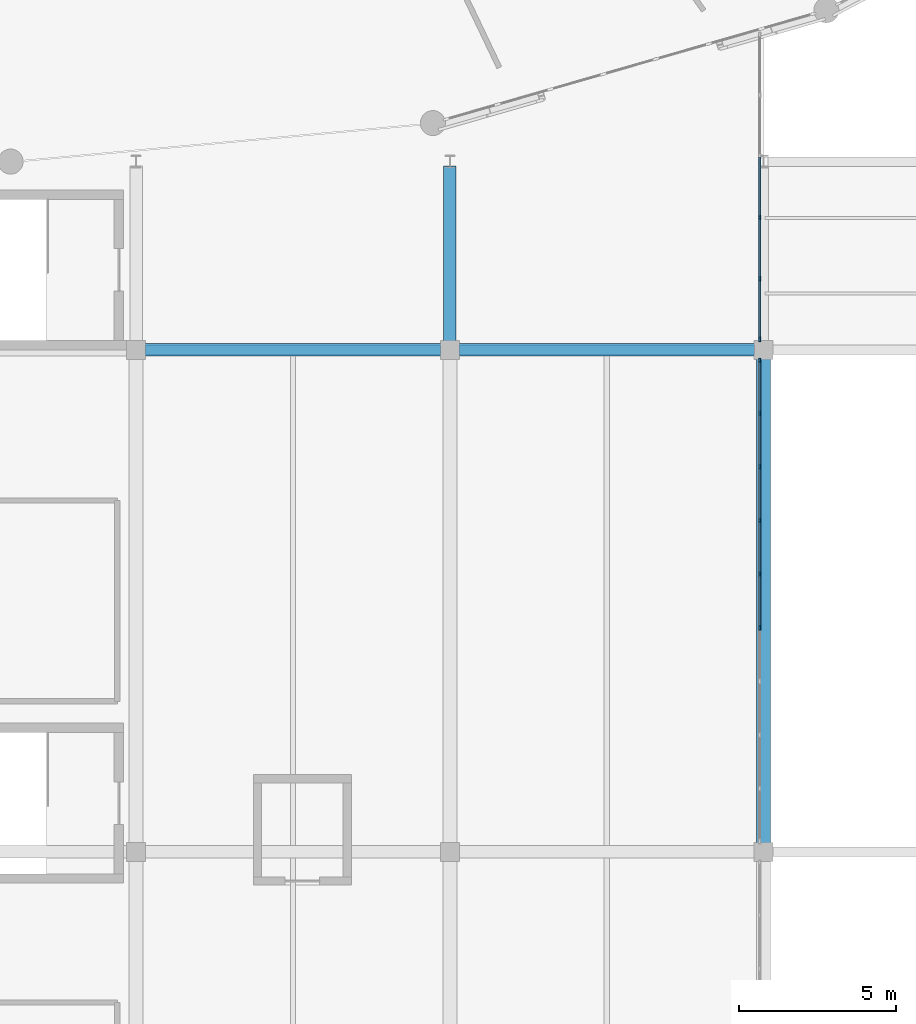
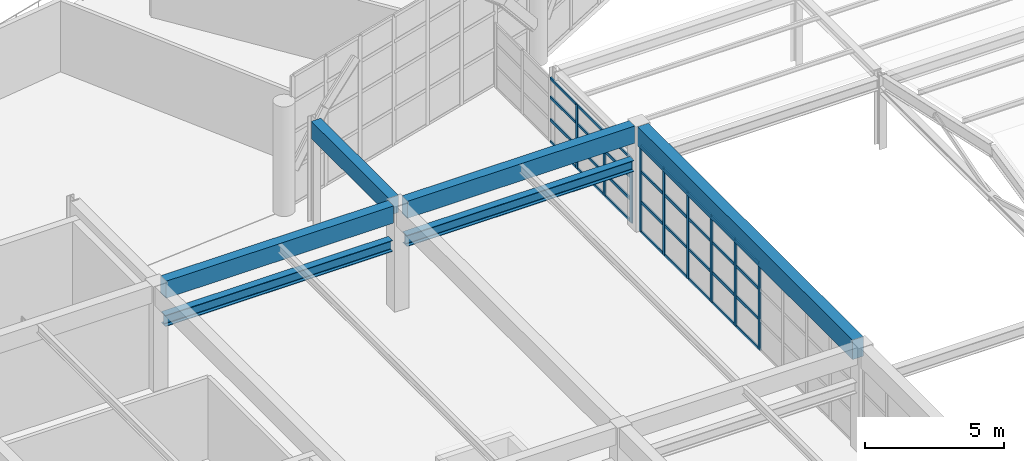
# One storey, part 28 of 109: 41 members, 6 beams, 2 elements without a shape of their own.
"""IFC4 building model written with IfcOpenShell, lengths in metres."""

import ifcopenshell
import ifcopenshell.guid

model = None  # the IFC model being written
_history = None  # IfcOwnerHistory: only IFC2X3 demands one
_inside = {}  # id of a spatial element -> (the spatial element, [elements in it])
_under = {}  # id of a project, library or spatial element -> (it, [spatial elements below it])
_declared = {}  # id of a project -> (the project, [libraries it declares])
_typed = {}  # id of a type object -> (the type object, [elements of that type])
_made_of = {}  # id of a material, layer set ... -> (it, [elements and type objects made of it])


def new_model(schema):
    """Start an empty IFC model of exactly this schema.

    Asked for "IFC4X3", IfcOpenShell would pick the latest addendum, in which some entities
    have other attributes; the version numbers below select the first issue.
    IFC2X3 requires an IfcOwnerHistory on every rooted entity: one is made here for all.
    """
    global model, _history
    if schema == "IFC4X3":
        model = ifcopenshell.file(schema_version=(4, 3, 0, 0))
    else:
        model = ifcopenshell.file(schema=schema)
    _inside.clear()
    _under.clear()
    _declared.clear()
    _typed.clear()
    _made_of.clear()
    _history = None
    if model.schema == "IFC2X3":
        org = make("IfcOrganization", Name="unknown")
        user = make(
            "IfcPersonAndOrganization",
            ThePerson=make("IfcPerson", FamilyName="unknown"),
            TheOrganization=org,
        )
        app = make(
            "IfcApplication",
            ApplicationDeveloper=org,
            Version="unknown",
            ApplicationFullName="unknown",
            ApplicationIdentifier="unknown",
        )
        _history = make(
            "IfcOwnerHistory",
            OwningUser=user,
            OwningApplication=app,
            ChangeAction="ADDED",
            CreationDate=0,
        )
    return model


def make(cls, **values):
    """One entity of the class cls with the attributes given. An attribute that is None is left unset."""
    return model.create_entity(
        cls, **{name: value for name, value in values.items() if value is not None}
    )


def rooted(cls, **values):
    """An entity with a GlobalId (a new one), such as an element, a storey or a relation."""
    return make(cls, GlobalId=ifcopenshell.guid.new(), OwnerHistory=_history, **values)


def si_unit(unit_type, name, prefix=None):
    """IfcSIUnit, for example si_unit("LENGTHUNIT", "METRE", prefix="MILLI")."""
    return make("IfcSIUnit", UnitType=unit_type, Prefix=prefix, Name=name)


def assignment(units):
    """IfcUnitAssignment: the units of a project."""
    return None if units is None else make("IfcUnitAssignment", Units=units)


def point(xyz):
    """IfcCartesianPoint."""
    return None if xyz is None else make("IfcCartesianPoint", Coordinates=xyz)


def direction(xyz):
    """IfcDirection."""
    return None if xyz is None else make("IfcDirection", DirectionRatios=xyz)


def frame(location, z_axis=None, x_axis=None):
    """IfcAxis2Placement3D, a coordinate frame: its origin and axes. An axis left out is left unset."""
    return make(
        "IfcAxis2Placement3D",
        Location=point(location),
        Axis=direction(z_axis),
        RefDirection=direction(x_axis),
    )


def frame_2d(location, x_axis=None):
    """IfcAxis2Placement2D, a coordinate frame in the plane: its origin and x axis."""
    return make(
        "IfcAxis2Placement2D", Location=point(location), RefDirection=direction(x_axis)
    )


def origin():
    """The frame at (0, 0, 0) with its axes left unset."""
    return frame((0.0, 0.0, 0.0))


def origin_2d():
    """The frame at (0, 0) in the plane with its x axis left unset."""
    return frame_2d((0.0, 0.0))


def place(relative_to, where):
    """IfcLocalPlacement: puts the frame where relative to a parent placement (None: the world)."""
    return make(
        "IfcLocalPlacement", PlacementRelTo=relative_to, RelativePlacement=where
    )


def context(
    kind, dimensions, precision=None, world=None, true_north=None, identifier=None
):
    """IfcGeometricRepresentationContext, for example the 3D "Model" context."""
    return make(
        "IfcGeometricRepresentationContext",
        ContextIdentifier=identifier,
        ContextType=kind,
        CoordinateSpaceDimension=dimensions,
        Precision=precision,
        WorldCoordinateSystem=world,
        TrueNorth=true_north,
    )


def subcontext(parent, identifier, kind, view, scale=None):
    """IfcGeometricRepresentationSubContext, for example "Body" below "Model"."""
    return make(
        "IfcGeometricRepresentationSubContext",
        ContextIdentifier=identifier,
        ContextType=kind,
        ParentContext=parent,
        TargetScale=scale,
        TargetView=view,
    )


def project(units=None, contexts=None):
    """IfcProject with its units and contexts."""
    return rooted(
        "IfcProject",
        Name="project",
        RepresentationContexts=contexts,
        UnitsInContext=assignment(units),
    )


def spatial(cls, under=None, at=None, **own):
    """A site, building, storey or space (cls), placed at a placement, below another one or the project."""
    s = rooted(cls, ObjectPlacement=at, **own)
    if under is not None:
        _under.setdefault(under.id(), (under, []))[1].append(s)
    return s


def profile(cls, at=None, kind="AREA", **sizes):
    """A parametric profile (cls). Its sizes go by their IFC names, for example OverallWidth=200.0."""
    return make(cls, ProfileType=kind, Position=at, **sizes)


def rectangle(**sizes):
    """IfcRectangleProfileDef."""
    return profile("IfcRectangleProfileDef", **sizes)


def i_section(**sizes):
    """IfcIShapeProfileDef."""
    return profile("IfcIShapeProfileDef", **sizes)


def extrude(swept, where, along, depth):
    """IfcExtrudedAreaSolid: the profile swept, set in the frame where, extruded along a direction by depth."""
    return make(
        "IfcExtrudedAreaSolid",
        SweptArea=swept,
        Position=where,
        ExtrudedDirection=direction(along),
        Depth=depth,
    )


def shape(context_of_items, identifier, shape_type, items):
    """IfcShapeRepresentation: the items that make up one representation, for example the "Body"."""
    return make(
        "IfcShapeRepresentation",
        ContextOfItems=context_of_items,
        RepresentationIdentifier=identifier,
        RepresentationType=shape_type,
        Items=items,
    )


def material(Name=None, Category=None):
    """IfcMaterial."""
    return make("IfcMaterial", Name=Name, Category=Category)


def layer(
    of_material, thickness, ventilated=None, Name=None, Category=None, Priority=None
):
    """IfcMaterialLayer: one layer of a wall or slab, of a material (None: an air gap)."""
    return make(
        "IfcMaterialLayer",
        Material=of_material,
        LayerThickness=thickness,
        IsVentilated=ventilated,
        Name=Name,
        Category=Category,
        Priority=Priority,
    )


def layer_set(layers, Name=None):
    """IfcMaterialLayerSet."""
    return make("IfcMaterialLayerSet", MaterialLayers=layers, LayerSetName=Name)


def material_profile(
    of_material, cross_section, Name=None, Category=None, Priority=None
):
    """IfcMaterialProfile: a cross section and its material."""
    return make(
        "IfcMaterialProfile",
        Name=Name,
        Material=of_material,
        Profile=cross_section,
        Priority=Priority,
        Category=Category,
    )


def profile_set(profiles, Name=None, composite=None):
    """IfcMaterialProfileSet."""
    return make(
        "IfcMaterialProfileSet",
        Name=Name,
        MaterialProfiles=profiles,
        CompositeProfile=composite,
    )


def made_of(thing, what):
    """Note that an element or type object is made of a material, layer set ...; save() writes the relation."""
    if what is not None:
        _made_of.setdefault(what.id(), (what, []))[1].append(thing)
    return thing


def type_object(cls, material=None, **own):
    """A type object (cls), such as IfcWallType, which elements share."""
    return made_of(rooted(cls, **own), material)


def element(
    cls,
    number,
    at=None,
    inside=None,
    cuts=None,
    type_object=None,
    material=None,
    context=None,
    identifier="Body",
    shape_type=None,
    held_by="IfcProductDefinitionShape",
    body=None,
    shapes=None,
    **own,
):
    """One element of the class cls, such as IfcWall. Its Tag is "e" and its number.

    at: its placement. inside: the storey or other place that contains it. cuts: it is an
    opening in that element (IfcRelVoidsElement). A single representation is given by context,
    identifier, shape_type and body (its items); several are given by shapes. held_by: the class
    of the entity that holds the representations. save() writes the other relations.
    """
    e = rooted(cls, Tag="e%d" % number, ObjectPlacement=at, **own)
    if body is not None:
        shapes = [shape(context, identifier, shape_type, body)]
    if shapes is not None:
        e.Representation = make(held_by, Representations=shapes)
    if inside is not None:
        _inside.setdefault(inside.id(), (inside, []))[1].append(e)
    if cuts is not None:
        rooted(
            "IfcRelVoidsElement", RelatingBuildingElement=cuts, RelatedOpeningElement=e
        )
    if type_object is not None:
        _typed.setdefault(type_object.id(), (type_object, []))[1].append(e)
    return made_of(e, material)


def aggregate(whole, parts):
    """IfcRelAggregates: a whole, such as a stair, and the parts it consists of."""
    return rooted("IfcRelAggregates", RelatingObject=whole, RelatedObjects=parts)


def save(model, path):
    """Write the relations noted so far, then the file.

    IfcRelAggregates (storeys below a building ...), IfcRelContainedInSpatialStructure (elements
    in a storey), IfcRelDefinesByType, IfcRelAssociatesMaterial and IfcRelDeclares: one each for
    every whole, place, type object, material and project.
    """
    for whole, parts in _under.values():
        aggregate(whole, parts)
    for where, things in _inside.values():
        rooted(
            "IfcRelContainedInSpatialStructure",
            RelatedElements=things,
            RelatingStructure=where,
        )
    for kind, things in _typed.values():
        rooted("IfcRelDefinesByType", RelatedObjects=things, RelatingType=kind)
    for what, things in _made_of.values():
        rooted("IfcRelAssociatesMaterial", RelatedObjects=things, RelatingMaterial=what)
    for by, libraries in _declared.values():
        rooted("IfcRelDeclares", RelatingContext=by, RelatedDefinitions=libraries)
    model.write(path)


model = new_model("IFC4")

# Units and contexts
model_context = context("Model", 3, precision=1e-05, world=origin(), true_north=direction((0.0, 1.0)))
body_context = subcontext(model_context, "Body", "Model", "MODEL_VIEW")
ifc_project = project(units=[si_unit("LENGTHUNIT", "METRE"), si_unit("AREAUNIT", "SQUARE_METRE"), si_unit("VOLUMEUNIT", "CUBIC_METRE"), si_unit("PLANEANGLEUNIT", "RADIAN"), si_unit("MASSUNIT", "GRAM", prefix="KILO")], contexts=[model_context])

# Site, building, storey
site_placement = place(None, origin())
site = spatial("IfcSite", under=ifc_project, at=site_placement, CompositionType="ELEMENT")
building_placement = place(site_placement, origin())
building = spatial("IfcBuilding", under=site, at=building_placement, Name="Kivolera Central Railway Station", CompositionType="ELEMENT")
storey_placement = place(building_placement, frame((0.0, 0.0, 9.60009765625)))
storey = spatial("IfcBuildingStorey", under=building, at=storey_placement, Name="L02", CompositionType="ELEMENT", Elevation=9.60009765625)

# Beams
ifc_material_1 = material(Name="Concrete C40/50", Category="concrete")
ifc_material_profile_1 = material_profile(ifc_material_1, rectangle(XDim=0.39990234375, YDim=0.75, at=origin_2d()), Name="RC 400x750")
ifc_profile_set_1 = profile_set([ifc_material_profile_1], Name="Concrete C40/50")
beam_type_1 = type_object("IfcBeamType", Name="BM-RC-400x750", PredefinedType="BEAM", material=ifc_profile_set_1)
beam_1_placement = place(storey_placement, frame((78.0, 48.287109375, 4.224853515625), z_axis=(0.0, 1.0, 0.0), x_axis=(-1.0, 0.0, 0.0)))
element("IfcBeam", 1, at=beam_1_placement, inside=storey, type_object=beam_type_1, Name="L02 Over-Track Concourse Threshold Girder 8:D-E", PredefinedType="BEAM", context=body_context, shape_type="SweptSolid", body=[
    extrude(rectangle(XDim=0.39990234375, YDim=0.75, at=origin_2d()), origin(), (0.0, 0.0, 1.0), 5.572998046875),
])
for number, where, z_axis, x_axis, name in (
    (2, (68.287109375, 48.0, 4.224853515625), (1.0, 0.0, 0.0), (0.0, 1.0, 0.0), "L02 Over-Track Bridge Transverse Girder D:7-8"),
    (3, (78.287109375, 48.0, 4.224853515625), (1.0, 0.0, 0.0), (0.0, 1.0, 0.0), "L02 Over-Track Bridge Transverse Girder D:8-9"),
):
    element("IfcBeam", number, at=place(storey_placement, frame(where, z_axis=z_axis, x_axis=x_axis)), inside=storey, type_object=beam_type_1, Name=name, PredefinedType="BEAM", context=body_context, shape_type="SweptSolid", body=[
        extrude(rectangle(XDim=0.39990234375, YDim=0.75, at=origin_2d()), origin(), (0.0, 0.0, 1.0), 9.42578125),
    ])
ifc_material_profile_2 = material_profile(ifc_material_1, rectangle(XDim=0.449951171875, YDim=0.85009765625, at=origin_2d()), Name="RC 450x850")
ifc_profile_set_2 = profile_set([ifc_material_profile_2], Name="Concrete C40/50")
beam_type_2 = type_object("IfcBeamType", Name="BM-RC-450x850", PredefinedType="BEAM", material=ifc_profile_set_2)
beam_2_placement = place(storey_placement, frame((88.0, 32.287109375, 4.1748046875), z_axis=(0.0, 1.0, 0.0), x_axis=(-1.0, 0.0, 0.0)))
element("IfcBeam", 4, at=beam_2_placement, inside=storey, type_object=beam_type_2, Name="L02 Over-Track Concourse Bridge Girder 9:C-D", PredefinedType="BEAM", context=body_context, shape_type="SweptSolid", body=[
    extrude(rectangle(XDim=0.449951171875, YDim=0.85009765625, at=origin_2d()), origin(), (0.0, 0.0, 1.0), 15.42578125),
])
ifc_material_2 = material(Name="Steel S355", Category="steel")
ifc_material_profile_3 = material_profile(ifc_material_2, i_section(OverallWidth=0.300048828125, OverallDepth=0.489990234375, WebThickness=0.011962890625, FlangeThickness=0.02294921875, FilletRadius=0.027099609375, at=origin_2d()), Name="HEA 500")
ifc_profile_set_3 = profile_set([ifc_material_profile_3], Name="Steel S355")
beam_type_3 = type_object("IfcBeamType", Name="BM-SHD-HEA500", PredefinedType="BEAM", material=ifc_profile_set_3)
for number, where, z_axis, x_axis, name in (
    (5, (68.2919921875, 48.0, 2.81982421875), (1.0, 0.0, 0.0), (0.0, 1.0, 0.0), "Train Shed Eave Girder D:7-8"),
    (6, (78.2919921875, 48.0, 2.81982421875), (1.0, 0.0, 0.0), (0.0, 1.0, 0.0), "Train Shed Eave Girder D:8-9"),
):
    element("IfcBeam", number, at=place(storey_placement, frame(where, z_axis=z_axis, x_axis=x_axis)), inside=storey, type_object=beam_type_3, Name=name, PredefinedType="BEAM", context=body_context, shape_type="SweptSolid", body=[
        extrude(i_section(OverallWidth=0.300048828125, OverallDepth=0.489990234375, WebThickness=0.011962890625, FlangeThickness=0.02294921875, FilletRadius=0.027099609375, at=origin_2d()), origin(), (0.0, 0.0, 1.0), 9.416015625),
    ])

# Curtain wall, members
ifc_material_3 = material(Name="Anodised aluminium", Category="aluminium")
ifc_layer_1 = layer(ifc_material_3, 0.179931640625, Name="Anodised aluminium")
ifc_layer_set_1 = layer_set([ifc_layer_1], Name="Anodised aluminium")
curtain_wall_type_1 = type_object("IfcCurtainWallType", Name="CW-SYS-18", PredefinedType="NOTDEFINED", material=ifc_layer_set_1)
curtain_wall_1_placement = place(storey_placement, origin())
curtain_wall_1 = element("IfcCurtainWall", 7, at=curtain_wall_1_placement, inside=storey, type_object=curtain_wall_type_1, Name="L02 Curtain Wall CW-L02-BRGE-3", PredefinedType="NOTDEFINED")
ifc_material_profile_4 = material_profile(ifc_material_3, rectangle(XDim=0.06005859375, YDim=0.14990234375, at=origin_2d()), Name="ALU MULL 60x150")
ifc_profile_set_4 = profile_set([ifc_material_profile_4], Name="Anodised aluminium")
member_type_1 = type_object("IfcMemberType", Name="CWM-MUL-2", PredefinedType="MULLION", material=ifc_profile_set_4)
member_1_placement = place(storey_placement, frame((87.8798828125, 47.659912109375, -0.005126953125), z_axis=(0.0, 0.0, 1.0), x_axis=(1.0, 0.0, 0.0)))
member_1 = element("IfcMember", 8, at=member_1_placement, type_object=member_type_1, Name="CW-18 mullion 1", PredefinedType="MULLION", context=body_context, shape_type="SweptSolid", body=[
    extrude(rectangle(XDim=0.06005859375, YDim=0.14990234375, at=origin_2d()), origin(), (0.0, 0.0, 1.0), 3.804931640625),
])
member_2_placement = place(storey_placement, frame((87.8798828125, 45.981201171875, -0.005126953125), z_axis=(0.0, 0.0, 1.0), x_axis=(1.0, 0.0, 0.0)))
member_2 = element("IfcMember", 9, at=member_2_placement, type_object=member_type_1, Name="CW-18 mullion 2", PredefinedType="MULLION", context=body_context, shape_type="SweptSolid", body=[
    extrude(rectangle(XDim=0.06005859375, YDim=0.14990234375, at=origin_2d()), origin(), (0.0, 0.0, 1.0), 3.804931640625),
])
member_3_placement = place(storey_placement, frame((87.8798828125, 44.272216796875, -0.005126953125), z_axis=(0.0, 0.0, 1.0), x_axis=(1.0, 0.0, 0.0)))
member_3 = element("IfcMember", 10, at=member_3_placement, type_object=member_type_1, Name="CW-18 mullion 3", PredefinedType="MULLION", context=body_context, shape_type="SweptSolid", body=[
    extrude(rectangle(XDim=0.06005859375, YDim=0.14990234375, at=origin_2d()), origin(), (0.0, 0.0, 1.0), 3.804931640625),
])
member_4_placement = place(storey_placement, frame((87.8798828125, 42.563232421875, -0.005126953125), z_axis=(0.0, 0.0, 1.0), x_axis=(1.0, 0.0, 0.0)))
member_4 = element("IfcMember", 11, at=member_4_placement, type_object=member_type_1, Name="CW-18 mullion 4", PredefinedType="MULLION", context=body_context, shape_type="SweptSolid", body=[
    extrude(rectangle(XDim=0.06005859375, YDim=0.14990234375, at=origin_2d()), origin(), (0.0, 0.0, 1.0), 3.804931640625),
])
member_5_placement = place(storey_placement, frame((87.8798828125, 40.8544921875, -0.005126953125), z_axis=(0.0, 0.0, 1.0), x_axis=(1.0, 0.0, 0.0)))
member_5 = element("IfcMember", 12, at=member_5_placement, type_object=member_type_1, Name="CW-18 mullion 5", PredefinedType="MULLION", context=body_context, shape_type="SweptSolid", body=[
    extrude(rectangle(XDim=0.06005859375, YDim=0.14990234375, at=origin_2d()), origin(), (0.0, 0.0, 1.0), 3.804931640625),
])
member_6_placement = place(storey_placement, frame((87.8798828125, 39.1455078125, -0.005126953125), z_axis=(0.0, 0.0, 1.0), x_axis=(1.0, 0.0, 0.0)))
member_6 = element("IfcMember", 13, at=member_6_placement, type_object=member_type_1, Name="CW-18 mullion 6", PredefinedType="MULLION", context=body_context, shape_type="SweptSolid", body=[
    extrude(rectangle(XDim=0.06005859375, YDim=0.14990234375, at=origin_2d()), origin(), (0.0, 0.0, 1.0), 3.804931640625),
])

ifc_layer_2 = layer(ifc_material_3, 0.179931640625, Name="Anodised aluminium")
ifc_layer_set_2 = layer_set([ifc_layer_2], Name="Anodised aluminium")
curtain_wall_type_2 = type_object("IfcCurtainWallType", Name="CW-SYS-20", PredefinedType="NOTDEFINED", material=ifc_layer_set_2)
curtain_wall_2_placement = place(storey_placement, origin())
curtain_wall_2 = element("IfcCurtainWall", 14, at=curtain_wall_2_placement, inside=storey, type_object=curtain_wall_type_2, Name="L02 Curtain Wall CW-L02-BRGE-4", PredefinedType="NOTDEFINED")
member_7_placement = place(storey_placement, frame((87.8798828125, 52.218017578125, -0.005126953125), z_axis=(0.0, 0.0, 1.0), x_axis=(1.0, 0.0, 0.0)))
member_7 = element("IfcMember", 15, at=member_7_placement, type_object=member_type_1, Name="CW-20 mullion 4", PredefinedType="MULLION", context=body_context, shape_type="SweptSolid", body=[
    extrude(rectangle(XDim=0.06005859375, YDim=0.14990234375, at=origin_2d()), origin(), (0.0, 0.0, 1.0), 2.824951171875),
])
member_8_placement = place(storey_placement, frame((87.8798828125, 50.263916015625, -0.005126953125), z_axis=(0.0, 0.0, 1.0), x_axis=(1.0, 0.0, 0.0)))
member_8 = element("IfcMember", 16, at=member_8_placement, type_object=member_type_1, Name="CW-20 mullion 5", PredefinedType="MULLION", context=body_context, shape_type="SweptSolid", body=[
    extrude(rectangle(XDim=0.06005859375, YDim=0.14990234375, at=origin_2d()), origin(), (0.0, 0.0, 1.0), 2.824951171875),
])
member_9_placement = place(storey_placement, frame((87.8798828125, 48.340087890625, -0.005126953125), z_axis=(0.0, 0.0, 1.0), x_axis=(1.0, 0.0, 0.0)))
member_9 = element("IfcMember", 17, at=member_9_placement, type_object=member_type_1, Name="CW-20 mullion 6", PredefinedType="MULLION", context=body_context, shape_type="SweptSolid", body=[
    extrude(rectangle(XDim=0.06005859375, YDim=0.14990234375, at=origin_2d()), origin(), (0.0, 0.0, 1.0), 2.824951171875),
])

# Member
ifc_material_profile_5 = material_profile(ifc_material_3, rectangle(XDim=0.06005859375, YDim=0.1201171875, at=origin_2d()), Name="ALU TRAN 60x120")
ifc_profile_set_5 = profile_set([ifc_material_profile_5], Name="Anodised aluminium")
member_type_2 = type_object("IfcMemberType", Name="CWM-TRN-2", PredefinedType="USERDEFINED", material=ifc_profile_set_5)
member_10_placement = place(storey_placement, frame((87.8798828125, 47.6298828125, 0.02978515625), z_axis=(0.0, -1.0, 0.0), x_axis=(1.0, 0.0, 0.0)))
member_10 = element("IfcMember", 18, at=member_10_placement, type_object=member_type_2, Name="CW-18 transom 1.1", ObjectType="TRANSOM", PredefinedType="USERDEFINED", context=body_context, shape_type="SweptSolid", body=[
    extrude(rectangle(XDim=0.06005859375, YDim=0.1201171875, at=origin_2d()), origin(), (0.0, 0.0, 1.0), 1.61865234375),
])

member_11_placement = place(storey_placement, frame((87.8798828125, 47.6298828125, 1.329833984375), z_axis=(0.0, -1.0, 0.0), x_axis=(1.0, 0.0, 0.0)))
member_11 = element("IfcMember", 19, at=member_11_placement, type_object=member_type_2, Name="CW-18 transom 1.2", ObjectType="TRANSOM", PredefinedType="USERDEFINED", context=body_context, shape_type="SweptSolid", body=[
    extrude(rectangle(XDim=0.06005859375, YDim=0.1201171875, at=origin_2d()), origin(), (0.0, 0.0, 1.0), 1.61865234375),
])

member_12_placement = place(storey_placement, frame((87.8798828125, 47.6298828125, 2.659912109375), z_axis=(0.0, -1.0, 0.0), x_axis=(1.0, 0.0, 0.0)))
member_12 = element("IfcMember", 20, at=member_12_placement, type_object=member_type_2, Name="CW-18 transom 1.3", ObjectType="TRANSOM", PredefinedType="USERDEFINED", context=body_context, shape_type="SweptSolid", body=[
    extrude(rectangle(XDim=0.06005859375, YDim=0.1201171875, at=origin_2d()), origin(), (0.0, 0.0, 1.0), 1.61865234375),
])

member_13_placement = place(storey_placement, frame((87.8798828125, 47.6298828125, 3.77001953125), z_axis=(0.0, -1.0, 0.0), x_axis=(1.0, 0.0, 0.0)))
member_13 = element("IfcMember", 21, at=member_13_placement, type_object=member_type_2, Name="CW-18 transom 1.4", ObjectType="TRANSOM", PredefinedType="USERDEFINED", context=body_context, shape_type="SweptSolid", body=[
    extrude(rectangle(XDim=0.06005859375, YDim=0.1201171875, at=origin_2d()), origin(), (0.0, 0.0, 1.0), 1.61865234375),
])

member_14_placement = place(storey_placement, frame((87.8798828125, 45.951171875, 0.02978515625), z_axis=(0.0, -1.0, 0.0), x_axis=(1.0, 0.0, 0.0)))
member_14 = element("IfcMember", 22, at=member_14_placement, type_object=member_type_2, Name="CW-18 transom 2.1", ObjectType="TRANSOM", PredefinedType="USERDEFINED", context=body_context, shape_type="SweptSolid", body=[
    extrude(rectangle(XDim=0.06005859375, YDim=0.1201171875, at=origin_2d()), origin(), (0.0, 0.0, 1.0), 1.64892578125),
])

member_15_placement = place(storey_placement, frame((87.8798828125, 45.951171875, 1.329833984375), z_axis=(0.0, -1.0, 0.0), x_axis=(1.0, 0.0, 0.0)))
member_15 = element("IfcMember", 23, at=member_15_placement, type_object=member_type_2, Name="CW-18 transom 2.2", ObjectType="TRANSOM", PredefinedType="USERDEFINED", context=body_context, shape_type="SweptSolid", body=[
    extrude(rectangle(XDim=0.06005859375, YDim=0.1201171875, at=origin_2d()), origin(), (0.0, 0.0, 1.0), 1.64892578125),
])

member_16_placement = place(storey_placement, frame((87.8798828125, 45.951171875, 2.659912109375), z_axis=(0.0, -1.0, 0.0), x_axis=(1.0, 0.0, 0.0)))
member_16 = element("IfcMember", 24, at=member_16_placement, type_object=member_type_2, Name="CW-18 transom 2.3", ObjectType="TRANSOM", PredefinedType="USERDEFINED", context=body_context, shape_type="SweptSolid", body=[
    extrude(rectangle(XDim=0.06005859375, YDim=0.1201171875, at=origin_2d()), origin(), (0.0, 0.0, 1.0), 1.64892578125),
])

member_17_placement = place(storey_placement, frame((87.8798828125, 45.951171875, 3.77001953125), z_axis=(0.0, -1.0, 0.0), x_axis=(1.0, 0.0, 0.0)))
member_17 = element("IfcMember", 25, at=member_17_placement, type_object=member_type_2, Name="CW-18 transom 2.4", ObjectType="TRANSOM", PredefinedType="USERDEFINED", context=body_context, shape_type="SweptSolid", body=[
    extrude(rectangle(XDim=0.06005859375, YDim=0.1201171875, at=origin_2d()), origin(), (0.0, 0.0, 1.0), 1.64892578125),
])

member_18_placement = place(storey_placement, frame((87.8798828125, 44.2421875, 0.02978515625), z_axis=(0.0, -1.0, 0.0), x_axis=(1.0, 0.0, 0.0)))
member_18 = element("IfcMember", 26, at=member_18_placement, type_object=member_type_2, Name="CW-18 transom 3.1", ObjectType="TRANSOM", PredefinedType="USERDEFINED", context=body_context, shape_type="SweptSolid", body=[
    extrude(rectangle(XDim=0.06005859375, YDim=0.1201171875, at=origin_2d()), origin(), (0.0, 0.0, 1.0), 1.64892578125),
])

member_19_placement = place(storey_placement, frame((87.8798828125, 44.2421875, 1.329833984375), z_axis=(0.0, -1.0, 0.0), x_axis=(1.0, 0.0, 0.0)))
member_19 = element("IfcMember", 27, at=member_19_placement, type_object=member_type_2, Name="CW-18 transom 3.2", ObjectType="TRANSOM", PredefinedType="USERDEFINED", context=body_context, shape_type="SweptSolid", body=[
    extrude(rectangle(XDim=0.06005859375, YDim=0.1201171875, at=origin_2d()), origin(), (0.0, 0.0, 1.0), 1.64892578125),
])

member_20_placement = place(storey_placement, frame((87.8798828125, 44.2421875, 2.659912109375), z_axis=(0.0, -1.0, 0.0), x_axis=(1.0, 0.0, 0.0)))
member_20 = element("IfcMember", 28, at=member_20_placement, type_object=member_type_2, Name="CW-18 transom 3.3", ObjectType="TRANSOM", PredefinedType="USERDEFINED", context=body_context, shape_type="SweptSolid", body=[
    extrude(rectangle(XDim=0.06005859375, YDim=0.1201171875, at=origin_2d()), origin(), (0.0, 0.0, 1.0), 1.64892578125),
])

member_21_placement = place(storey_placement, frame((87.8798828125, 44.2421875, 3.77001953125), z_axis=(0.0, -1.0, 0.0), x_axis=(1.0, 0.0, 0.0)))
member_21 = element("IfcMember", 29, at=member_21_placement, type_object=member_type_2, Name="CW-18 transom 3.4", ObjectType="TRANSOM", PredefinedType="USERDEFINED", context=body_context, shape_type="SweptSolid", body=[
    extrude(rectangle(XDim=0.06005859375, YDim=0.1201171875, at=origin_2d()), origin(), (0.0, 0.0, 1.0), 1.64892578125),
])

member_22_placement = place(storey_placement, frame((87.8798828125, 42.533447265625, 0.02978515625), z_axis=(0.0, -1.0, 0.0), x_axis=(1.0, 0.0, 0.0)))
member_22 = element("IfcMember", 30, at=member_22_placement, type_object=member_type_2, Name="CW-18 transom 4.1", ObjectType="TRANSOM", PredefinedType="USERDEFINED", context=body_context, shape_type="SweptSolid", body=[
    extrude(rectangle(XDim=0.06005859375, YDim=0.1201171875, at=origin_2d()), origin(), (0.0, 0.0, 1.0), 1.64892578125),
])

member_23_placement = place(storey_placement, frame((87.8798828125, 42.533447265625, 1.329833984375), z_axis=(0.0, -1.0, 0.0), x_axis=(1.0, 0.0, 0.0)))
member_23 = element("IfcMember", 31, at=member_23_placement, type_object=member_type_2, Name="CW-18 transom 4.2", ObjectType="TRANSOM", PredefinedType="USERDEFINED", context=body_context, shape_type="SweptSolid", body=[
    extrude(rectangle(XDim=0.06005859375, YDim=0.1201171875, at=origin_2d()), origin(), (0.0, 0.0, 1.0), 1.64892578125),
])

member_24_placement = place(storey_placement, frame((87.8798828125, 42.533447265625, 2.659912109375), z_axis=(0.0, -1.0, 0.0), x_axis=(1.0, 0.0, 0.0)))
member_24 = element("IfcMember", 32, at=member_24_placement, type_object=member_type_2, Name="CW-18 transom 4.3", ObjectType="TRANSOM", PredefinedType="USERDEFINED", context=body_context, shape_type="SweptSolid", body=[
    extrude(rectangle(XDim=0.06005859375, YDim=0.1201171875, at=origin_2d()), origin(), (0.0, 0.0, 1.0), 1.64892578125),
])

member_25_placement = place(storey_placement, frame((87.8798828125, 42.533447265625, 3.77001953125), z_axis=(0.0, -1.0, 0.0), x_axis=(1.0, 0.0, 0.0)))
member_25 = element("IfcMember", 33, at=member_25_placement, type_object=member_type_2, Name="CW-18 transom 4.4", ObjectType="TRANSOM", PredefinedType="USERDEFINED", context=body_context, shape_type="SweptSolid", body=[
    extrude(rectangle(XDim=0.06005859375, YDim=0.1201171875, at=origin_2d()), origin(), (0.0, 0.0, 1.0), 1.64892578125),
])

member_26_placement = place(storey_placement, frame((87.8798828125, 40.824462890625, 0.02978515625), z_axis=(0.0, -1.0, 0.0), x_axis=(1.0, 0.0, 0.0)))
member_26 = element("IfcMember", 34, at=member_26_placement, type_object=member_type_2, Name="CW-18 transom 5.1", ObjectType="TRANSOM", PredefinedType="USERDEFINED", context=body_context, shape_type="SweptSolid", body=[
    extrude(rectangle(XDim=0.06005859375, YDim=0.1201171875, at=origin_2d()), origin(), (0.0, 0.0, 1.0), 1.64892578125),
])

member_27_placement = place(storey_placement, frame((87.8798828125, 40.824462890625, 1.329833984375), z_axis=(0.0, -1.0, 0.0), x_axis=(1.0, 0.0, 0.0)))
member_27 = element("IfcMember", 35, at=member_27_placement, type_object=member_type_2, Name="CW-18 transom 5.2", ObjectType="TRANSOM", PredefinedType="USERDEFINED", context=body_context, shape_type="SweptSolid", body=[
    extrude(rectangle(XDim=0.06005859375, YDim=0.1201171875, at=origin_2d()), origin(), (0.0, 0.0, 1.0), 1.64892578125),
])

member_28_placement = place(storey_placement, frame((87.8798828125, 40.824462890625, 2.659912109375), z_axis=(0.0, -1.0, 0.0), x_axis=(1.0, 0.0, 0.0)))
member_28 = element("IfcMember", 36, at=member_28_placement, type_object=member_type_2, Name="CW-18 transom 5.3", ObjectType="TRANSOM", PredefinedType="USERDEFINED", context=body_context, shape_type="SweptSolid", body=[
    extrude(rectangle(XDim=0.06005859375, YDim=0.1201171875, at=origin_2d()), origin(), (0.0, 0.0, 1.0), 1.64892578125),
])

member_29_placement = place(storey_placement, frame((87.8798828125, 40.824462890625, 3.77001953125), z_axis=(0.0, -1.0, 0.0), x_axis=(1.0, 0.0, 0.0)))
member_29 = element("IfcMember", 37, at=member_29_placement, type_object=member_type_2, Name="CW-18 transom 5.4", ObjectType="TRANSOM", PredefinedType="USERDEFINED", context=body_context, shape_type="SweptSolid", body=[
    extrude(rectangle(XDim=0.06005859375, YDim=0.1201171875, at=origin_2d()), origin(), (0.0, 0.0, 1.0), 1.64892578125),
])

aggregate(curtain_wall_1, [member_1, member_2, member_3, member_4, member_5, member_6, member_10, member_11, member_12, member_13, member_14, member_15, member_16, member_17, member_18, member_19, member_20, member_21, member_22, member_23, member_24, member_25, member_26, member_27, member_28, member_29])

member_30_placement = place(storey_placement, frame((87.8798828125, 54.14208984375, 0.02978515625), z_axis=(0.0, -1.0, 0.0), x_axis=(1.0, 0.0, 0.0)))
member_30 = element("IfcMember", 38, at=member_30_placement, type_object=member_type_2, Name="CW-20 transom 3.1", ObjectType="TRANSOM", PredefinedType="USERDEFINED", context=body_context, shape_type="SweptSolid", body=[
    extrude(rectangle(XDim=0.06005859375, YDim=0.1201171875, at=origin_2d()), origin(), (0.0, 0.0, 1.0), 1.89404296875),
])

member_31_placement = place(storey_placement, frame((87.8798828125, 54.14208984375, 0.98681640625), z_axis=(0.0, -1.0, 0.0), x_axis=(1.0, 0.0, 0.0)))
member_31 = element("IfcMember", 39, at=member_31_placement, type_object=member_type_2, Name="CW-20 transom 3.2", ObjectType="TRANSOM", PredefinedType="USERDEFINED", context=body_context, shape_type="SweptSolid", body=[
    extrude(rectangle(XDim=0.06005859375, YDim=0.1201171875, at=origin_2d()), origin(), (0.0, 0.0, 1.0), 1.89404296875),
])

member_32_placement = place(storey_placement, frame((87.8798828125, 54.14208984375, 1.973876953125), z_axis=(0.0, -1.0, 0.0), x_axis=(1.0, 0.0, 0.0)))
member_32 = element("IfcMember", 40, at=member_32_placement, type_object=member_type_2, Name="CW-20 transom 3.3", ObjectType="TRANSOM", PredefinedType="USERDEFINED", context=body_context, shape_type="SweptSolid", body=[
    extrude(rectangle(XDim=0.06005859375, YDim=0.1201171875, at=origin_2d()), origin(), (0.0, 0.0, 1.0), 1.89404296875),
])

member_33_placement = place(storey_placement, frame((87.8798828125, 54.14208984375, 2.789794921875), z_axis=(0.0, -1.0, 0.0), x_axis=(1.0, 0.0, 0.0)))
member_33 = element("IfcMember", 41, at=member_33_placement, type_object=member_type_2, Name="CW-20 transom 3.4", ObjectType="TRANSOM", PredefinedType="USERDEFINED", context=body_context, shape_type="SweptSolid", body=[
    extrude(rectangle(XDim=0.06005859375, YDim=0.1201171875, at=origin_2d()), origin(), (0.0, 0.0, 1.0), 1.89404296875),
])

member_34_placement = place(storey_placement, frame((87.8798828125, 52.18798828125, 0.02978515625), z_axis=(0.0, -1.0, 0.0), x_axis=(1.0, 0.0, 0.0)))
member_34 = element("IfcMember", 42, at=member_34_placement, type_object=member_type_2, Name="CW-20 transom 4.1", ObjectType="TRANSOM", PredefinedType="USERDEFINED", context=body_context, shape_type="SweptSolid", body=[
    extrude(rectangle(XDim=0.06005859375, YDim=0.1201171875, at=origin_2d()), origin(), (0.0, 0.0, 1.0), 1.89404296875),
])

member_35_placement = place(storey_placement, frame((87.8798828125, 52.18798828125, 0.98681640625), z_axis=(0.0, -1.0, 0.0), x_axis=(1.0, 0.0, 0.0)))
member_35 = element("IfcMember", 43, at=member_35_placement, type_object=member_type_2, Name="CW-20 transom 4.2", ObjectType="TRANSOM", PredefinedType="USERDEFINED", context=body_context, shape_type="SweptSolid", body=[
    extrude(rectangle(XDim=0.06005859375, YDim=0.1201171875, at=origin_2d()), origin(), (0.0, 0.0, 1.0), 1.89404296875),
])

member_36_placement = place(storey_placement, frame((87.8798828125, 52.18798828125, 1.973876953125), z_axis=(0.0, -1.0, 0.0), x_axis=(1.0, 0.0, 0.0)))
member_36 = element("IfcMember", 44, at=member_36_placement, type_object=member_type_2, Name="CW-20 transom 4.3", ObjectType="TRANSOM", PredefinedType="USERDEFINED", context=body_context, shape_type="SweptSolid", body=[
    extrude(rectangle(XDim=0.06005859375, YDim=0.1201171875, at=origin_2d()), origin(), (0.0, 0.0, 1.0), 1.89404296875),
])

member_37_placement = place(storey_placement, frame((87.8798828125, 52.18798828125, 2.789794921875), z_axis=(0.0, -1.0, 0.0), x_axis=(1.0, 0.0, 0.0)))
member_37 = element("IfcMember", 45, at=member_37_placement, type_object=member_type_2, Name="CW-20 transom 4.4", ObjectType="TRANSOM", PredefinedType="USERDEFINED", context=body_context, shape_type="SweptSolid", body=[
    extrude(rectangle(XDim=0.06005859375, YDim=0.1201171875, at=origin_2d()), origin(), (0.0, 0.0, 1.0), 1.89404296875),
])

member_38_placement = place(storey_placement, frame((87.8798828125, 50.23388671875, 0.02978515625), z_axis=(0.0, -1.0, 0.0), x_axis=(1.0, 0.0, 0.0)))
member_38 = element("IfcMember", 46, at=member_38_placement, type_object=member_type_2, Name="CW-20 transom 5.1", ObjectType="TRANSOM", PredefinedType="USERDEFINED", context=body_context, shape_type="SweptSolid", body=[
    extrude(rectangle(XDim=0.06005859375, YDim=0.1201171875, at=origin_2d()), origin(), (0.0, 0.0, 1.0), 1.86376953125),
])

member_39_placement = place(storey_placement, frame((87.8798828125, 50.23388671875, 0.98681640625), z_axis=(0.0, -1.0, 0.0), x_axis=(1.0, 0.0, 0.0)))
member_39 = element("IfcMember", 47, at=member_39_placement, type_object=member_type_2, Name="CW-20 transom 5.2", ObjectType="TRANSOM", PredefinedType="USERDEFINED", context=body_context, shape_type="SweptSolid", body=[
    extrude(rectangle(XDim=0.06005859375, YDim=0.1201171875, at=origin_2d()), origin(), (0.0, 0.0, 1.0), 1.86376953125),
])

member_40_placement = place(storey_placement, frame((87.8798828125, 50.23388671875, 1.973876953125), z_axis=(0.0, -1.0, 0.0), x_axis=(1.0, 0.0, 0.0)))
member_40 = element("IfcMember", 48, at=member_40_placement, type_object=member_type_2, Name="CW-20 transom 5.3", ObjectType="TRANSOM", PredefinedType="USERDEFINED", context=body_context, shape_type="SweptSolid", body=[
    extrude(rectangle(XDim=0.06005859375, YDim=0.1201171875, at=origin_2d()), origin(), (0.0, 0.0, 1.0), 1.86376953125),
])

member_41_placement = place(storey_placement, frame((87.8798828125, 50.23388671875, 2.789794921875), z_axis=(0.0, -1.0, 0.0), x_axis=(1.0, 0.0, 0.0)))
member_41 = element("IfcMember", 49, at=member_41_placement, type_object=member_type_2, Name="CW-20 transom 5.4", ObjectType="TRANSOM", PredefinedType="USERDEFINED", context=body_context, shape_type="SweptSolid", body=[
    extrude(rectangle(XDim=0.06005859375, YDim=0.1201171875, at=origin_2d()), origin(), (0.0, 0.0, 1.0), 1.86376953125),
])

aggregate(curtain_wall_2, [member_7, member_8, member_9, member_30, member_31, member_32, member_33, member_34, member_35, member_36, member_37, member_38, member_39, member_40, member_41])

save(model, "model.ifc")
